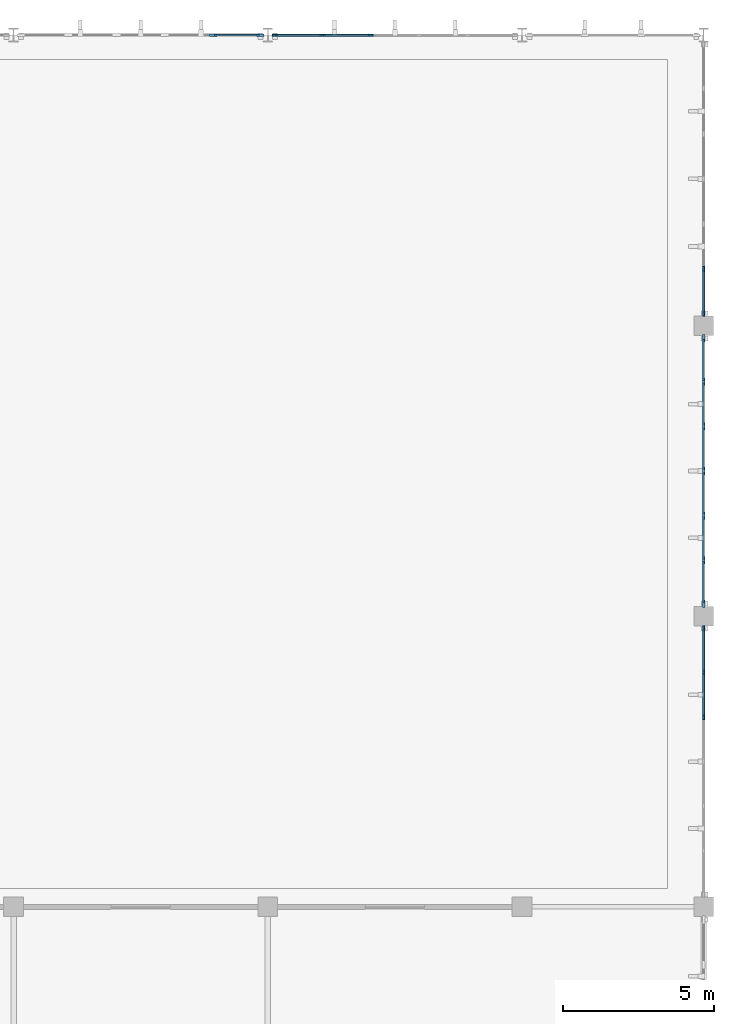
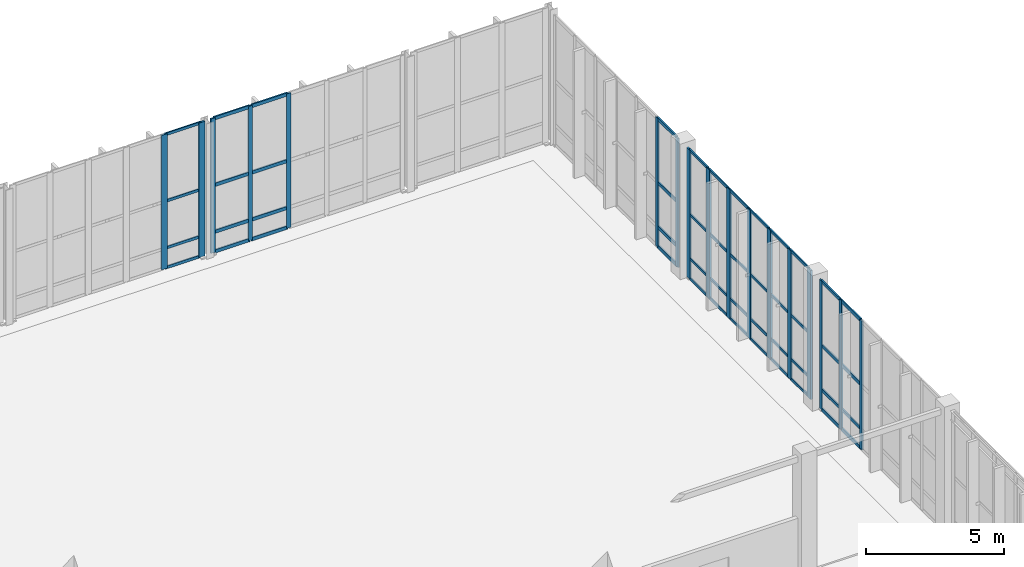
# One storey, part 54 of 110: 65 members, 5 elements without a shape of their own.
"""IFC4 building model written with IfcOpenShell, lengths in metres."""

from ifc_helpers import new_model, si_unit, direction, frame, origin, origin_2d, place, context, subcontext, project, spatial, rectangle, extrude, material, material_profile, profile_set, type_object, element, aggregate, save


model = new_model("IFC4")

# Units and contexts
model_context = context("Model", 3, precision=1e-05, world=origin(), true_north=direction((0.0, 1.0)))
body_context = subcontext(model_context, "Body", "Model", "MODEL_VIEW")
ifc_project = project(units=[si_unit("LENGTHUNIT", "METRE"), si_unit("AREAUNIT", "SQUARE_METRE"), si_unit("VOLUMEUNIT", "CUBIC_METRE"), si_unit("PLANEANGLEUNIT", "RADIAN"), si_unit("MASSUNIT", "GRAM", prefix="KILO")], contexts=[model_context])

# Site, building, storey
site_placement = place(None, origin())
site = spatial("IfcSite", under=ifc_project, at=site_placement, CompositionType="ELEMENT")
building_placement = place(site_placement, origin())
building = spatial("IfcBuilding", under=site, at=building_placement, Name="Tizgana Railside Sports Hall", CompositionType="ELEMENT")
storey_placement = place(building_placement, origin())
storey = spatial("IfcBuildingStorey", under=building, at=storey_placement, Name="L00", CompositionType="ELEMENT", Elevation=0.0)

# Curtain wall, members
ifc_material_1 = material(Name="Anodised aluminium and glass", Category="aluminium")
curtain_wall_type_1 = type_object("IfcCurtainWallType", Name="Unitised Curtain Wall Studio 1400", PredefinedType="NOTDEFINED", material=ifc_material_1)
curtain_wall_1_placement = place(storey_placement, origin())
curtain_wall_1 = element("IfcCurtainWall", 1, at=curtain_wall_1_placement, inside=storey, type_object=curtain_wall_type_1, Name="L00 Curtain Wall CW-0050", PredefinedType="NOTDEFINED")
ifc_material_2 = material(Name="Anodised aluminium", Category="aluminium")
ifc_material_profile_1 = material_profile(ifc_material_2, rectangle(XDim=0.06005859375, YDim=0.179931640625, at=origin_2d()), Name="Mullion 60x180")
ifc_profile_set_1 = profile_set([ifc_material_profile_1], Name="Anodised aluminium")
member_type_1 = type_object("IfcMemberType", Name="Mullion 60x180", PredefinedType="MULLION", material=ifc_profile_set_1)
member_1_placement = place(storey_placement, frame((158.034912109375, 117.60009765625, 0.044921875), z_axis=(0.0, 0.0, 1.0), x_axis=(0.0, 1.0, 0.0)))
member_1 = element("IfcMember", 2, at=member_1_placement, type_object=member_type_1, Name="CW-03 mullion 1", PredefinedType="MULLION", context=body_context, shape_type="SweptSolid", body=[
    extrude(rectangle(XDim=0.06005859375, YDim=0.179931640625, at=origin_2d()), origin(), (0.0, 0.0, 1.0), 5.955078125),
])
member_2_placement = place(storey_placement, frame((159.60302734375, 117.60009765625, 0.044921875), z_axis=(0.0, 0.0, 1.0), x_axis=(0.0, 1.0, 0.0)))
member_2 = element("IfcMember", 3, at=member_2_placement, type_object=member_type_1, Name="CW-03 mullion 2", PredefinedType="MULLION", context=body_context, shape_type="SweptSolid", body=[
    extrude(rectangle(XDim=0.06005859375, YDim=0.179931640625, at=origin_2d()), origin(), (0.0, 0.0, 1.0), 5.955078125),
])
member_3_placement = place(storey_placement, frame((161.200927734375, 117.60009765625, 0.044921875), z_axis=(0.0, 0.0, 1.0), x_axis=(0.0, 1.0, 0.0)))
member_3 = element("IfcMember", 4, at=member_3_placement, type_object=member_type_1, Name="CW-03 mullion 3", PredefinedType="MULLION", context=body_context, shape_type="SweptSolid", body=[
    extrude(rectangle(XDim=0.06005859375, YDim=0.179931640625, at=origin_2d()), origin(), (0.0, 0.0, 1.0), 5.955078125),
])

curtain_wall_type_2 = type_object("IfcCurtainWallType", Name="Unitised Curtain Wall WestHall 1560", PredefinedType="NOTDEFINED", material=ifc_material_1)
curtain_wall_2_placement = place(storey_placement, origin())
curtain_wall_2 = element("IfcCurtainWall", 5, at=curtain_wall_2_placement, inside=storey, type_object=curtain_wall_type_2, Name="L00 Curtain Wall CW-0062", PredefinedType="NOTDEFINED")
member_4_placement = place(storey_placement, frame((172.199951171875, 95.0732421875, 0.044921875), z_axis=(0.0, 0.0, 1.0), x_axis=(-1.0, 0.0, 0.0)))
member_4 = element("IfcMember", 6, at=member_4_placement, type_object=member_type_1, Name="CW-07 mullion 5", PredefinedType="MULLION", context=body_context, shape_type="SweptSolid", body=[
    extrude(rectangle(XDim=0.06005859375, YDim=0.179931640625, at=origin_2d()), origin(), (0.0, 0.0, 1.0), 5.715087890625),
])
member_5_placement = place(storey_placement, frame((172.199951171875, 96.546630859375, 0.044921875), z_axis=(0.0, 0.0, 1.0), x_axis=(-1.0, 0.0, 0.0)))
member_5 = element("IfcMember", 7, at=member_5_placement, type_object=member_type_1, Name="CW-07 mullion 6", PredefinedType="MULLION", context=body_context, shape_type="SweptSolid", body=[
    extrude(rectangle(XDim=0.06005859375, YDim=0.179931640625, at=origin_2d()), origin(), (0.0, 0.0, 1.0), 5.715087890625),
])
member_6_placement = place(storey_placement, frame((172.199951171875, 97.989990234375, 0.044921875), z_axis=(0.0, 0.0, 1.0), x_axis=(-1.0, 0.0, 0.0)))
member_6 = element("IfcMember", 8, at=member_6_placement, type_object=member_type_1, Name="CW-07 mullion 7", PredefinedType="MULLION", context=body_context, shape_type="SweptSolid", body=[
    extrude(rectangle(XDim=0.06005859375, YDim=0.179931640625, at=origin_2d()), origin(), (0.0, 0.0, 1.0), 5.715087890625),
])

curtain_wall_type_3 = type_object("IfcCurtainWallType", Name="Unitised Curtain Wall Clinic 1200", PredefinedType="NOTDEFINED", material=ifc_material_1)
curtain_wall_3_placement = place(storey_placement, origin())
curtain_wall_3 = element("IfcCurtainWall", 9, at=curtain_wall_3_placement, inside=storey, type_object=curtain_wall_type_3, Name="L00 Curtain Wall CW-0068", PredefinedType="NOTDEFINED")
member_7_placement = place(storey_placement, frame((172.199951171875, 108.409912109375, 0.044921875), z_axis=(0.0, 0.0, 1.0), x_axis=(-1.0, 0.0, 0.0)))
member_7 = element("IfcMember", 10, at=member_7_placement, type_object=member_type_1, Name="CW-05 mullion 1", PredefinedType="MULLION", context=body_context, shape_type="SweptSolid", body=[
    extrude(rectangle(XDim=0.06005859375, YDim=0.179931640625, at=origin_2d()), origin(), (0.0, 0.0, 1.0), 5.715087890625),
])
member_8_placement = place(storey_placement, frame((172.199951171875, 109.8701171875, 0.044921875), z_axis=(0.0, 0.0, 1.0), x_axis=(-1.0, 0.0, 0.0)))
member_8 = element("IfcMember", 11, at=member_8_placement, type_object=member_type_1, Name="CW-05 mullion 2", PredefinedType="MULLION", context=body_context, shape_type="SweptSolid", body=[
    extrude(rectangle(XDim=0.06005859375, YDim=0.179931640625, at=origin_2d()), origin(), (0.0, 0.0, 1.0), 5.715087890625),
])

curtain_wall_type_4 = type_object("IfcCurtainWallType", Name="Unitised Curtain Wall EastHall 1500", PredefinedType="NOTDEFINED", material=ifc_material_1)
curtain_wall_4_placement = place(storey_placement, origin())
curtain_wall_4 = element("IfcCurtainWall", 12, at=curtain_wall_4_placement, inside=storey, type_object=curtain_wall_type_4, Name="L00 Curtain Wall CW-0047", PredefinedType="NOTDEFINED")
ifc_material_profile_2 = material_profile(ifc_material_2, rectangle(XDim=0.074951171875, YDim=0.25, at=origin_2d()), Name="Mullion 75x250")
ifc_profile_set_2 = profile_set([ifc_material_profile_2], Name="Anodised aluminium")
member_type_2 = type_object("IfcMemberType", Name="Mullion 75x250", PredefinedType="MULLION", material=ifc_profile_set_2)
member_9_placement = place(storey_placement, frame((155.9970703125, 117.60009765625, 0.044921875), z_axis=(0.0, 0.0, 1.0), x_axis=(0.0, 1.0, 0.0)))
member_9 = element("IfcMember", 13, at=member_9_placement, type_object=member_type_2, Name="CW-08 mullion 5", PredefinedType="MULLION", context=body_context, shape_type="SweptSolid", body=[
    extrude(rectangle(XDim=0.074951171875, YDim=0.25, at=origin_2d()), origin(), (0.0, 0.0, 1.0), 5.955078125),
])
member_10_placement = place(storey_placement, frame((157.5576171875, 117.60009765625, 0.044921875), z_axis=(0.0, 0.0, 1.0), x_axis=(0.0, 1.0, 0.0)))
member_10 = element("IfcMember", 14, at=member_10_placement, type_object=member_type_2, Name="CW-08 mullion 6", PredefinedType="MULLION", context=body_context, shape_type="SweptSolid", body=[
    extrude(rectangle(XDim=0.074951171875, YDim=0.25, at=origin_2d()), origin(), (0.0, 0.0, 1.0), 5.955078125),
])

curtain_wall_type_5 = type_object("IfcCurtainWallType", Name="Unitised Curtain Wall Foyer 1300", PredefinedType="NOTDEFINED", material=ifc_material_1)
curtain_wall_5_placement = place(storey_placement, origin())
curtain_wall_5 = element("IfcCurtainWall", 15, at=curtain_wall_5_placement, inside=storey, type_object=curtain_wall_type_5, Name="L00 Curtain Wall CW-0065", PredefinedType="NOTDEFINED")
member_11_placement = place(storey_placement, frame((172.199951171875, 98.8173828125, 0.044921875), z_axis=(0.0, 0.0, 1.0), x_axis=(-1.0, 0.0, 0.0)))
member_11 = element("IfcMember", 16, at=member_11_placement, type_object=member_type_2, Name="CW-02 mullion 1", PredefinedType="MULLION", context=body_context, shape_type="SweptSolid", body=[
    extrude(rectangle(XDim=0.074951171875, YDim=0.25, at=origin_2d()), origin(), (0.0, 0.0, 1.0), 5.715087890625),
])
member_12_placement = place(storey_placement, frame((172.199951171875, 100.25341796875, 0.044921875), z_axis=(0.0, 0.0, 1.0), x_axis=(-1.0, 0.0, 0.0)))
member_12 = element("IfcMember", 17, at=member_12_placement, type_object=member_type_2, Name="CW-02 mullion 2", PredefinedType="MULLION", context=body_context, shape_type="SweptSolid", body=[
    extrude(rectangle(XDim=0.074951171875, YDim=0.25, at=origin_2d()), origin(), (0.0, 0.0, 1.0), 5.715087890625),
])
member_13_placement = place(storey_placement, frame((172.199951171875, 101.7265625, 0.044921875), z_axis=(0.0, 0.0, 1.0), x_axis=(-1.0, 0.0, 0.0)))
member_13 = element("IfcMember", 18, at=member_13_placement, type_object=member_type_2, Name="CW-02 mullion 3", PredefinedType="MULLION", context=body_context, shape_type="SweptSolid", body=[
    extrude(rectangle(XDim=0.074951171875, YDim=0.25, at=origin_2d()), origin(), (0.0, 0.0, 1.0), 5.715087890625),
])
member_14_placement = place(storey_placement, frame((172.199951171875, 103.199951171875, 0.044921875), z_axis=(0.0, 0.0, 1.0), x_axis=(-1.0, 0.0, 0.0)))
member_14 = element("IfcMember", 19, at=member_14_placement, type_object=member_type_2, Name="CW-02 mullion 4", PredefinedType="MULLION", context=body_context, shape_type="SweptSolid", body=[
    extrude(rectangle(XDim=0.074951171875, YDim=0.25, at=origin_2d()), origin(), (0.0, 0.0, 1.0), 5.715087890625),
])
member_15_placement = place(storey_placement, frame((172.199951171875, 104.67333984375, 0.044921875), z_axis=(0.0, 0.0, 1.0), x_axis=(-1.0, 0.0, 0.0)))
member_15 = element("IfcMember", 20, at=member_15_placement, type_object=member_type_2, Name="CW-02 mullion 5", PredefinedType="MULLION", context=body_context, shape_type="SweptSolid", body=[
    extrude(rectangle(XDim=0.074951171875, YDim=0.25, at=origin_2d()), origin(), (0.0, 0.0, 1.0), 5.715087890625),
])
member_16_placement = place(storey_placement, frame((172.199951171875, 106.146728515625, 0.044921875), z_axis=(0.0, 0.0, 1.0), x_axis=(-1.0, 0.0, 0.0)))
member_16 = element("IfcMember", 21, at=member_16_placement, type_object=member_type_2, Name="CW-02 mullion 6", PredefinedType="MULLION", context=body_context, shape_type="SweptSolid", body=[
    extrude(rectangle(XDim=0.074951171875, YDim=0.25, at=origin_2d()), origin(), (0.0, 0.0, 1.0), 5.715087890625),
])
member_17_placement = place(storey_placement, frame((172.199951171875, 107.58251953125, 0.044921875), z_axis=(0.0, 0.0, 1.0), x_axis=(-1.0, 0.0, 0.0)))
member_17 = element("IfcMember", 22, at=member_17_placement, type_object=member_type_2, Name="CW-02 mullion 7", PredefinedType="MULLION", context=body_context, shape_type="SweptSolid", body=[
    extrude(rectangle(XDim=0.074951171875, YDim=0.25, at=origin_2d()), origin(), (0.0, 0.0, 1.0), 5.715087890625),
])

# Member
ifc_material_profile_3 = material_profile(ifc_material_2, rectangle(XDim=0.054931640625, YDim=0.1201171875, at=origin_2d()), Name="Transom 55x120")
ifc_profile_set_3 = profile_set([ifc_material_profile_3], Name="Anodised aluminium")
member_type_3 = type_object("IfcMemberType", Name="Transom 55x120", PredefinedType="USERDEFINED", material=ifc_profile_set_3)
member_18_placement = place(storey_placement, frame((156.034423828125, 117.60009765625, 0.072509765625), z_axis=(1.0, 0.0, 0.0), x_axis=(0.0, 1.0, 0.0)))
member_18 = element("IfcMember", 23, at=member_18_placement, type_object=member_type_3, Name="CW-08 transom 5.1", ObjectType="TRANSOM", PredefinedType="USERDEFINED", context=body_context, shape_type="SweptSolid", body=[
    extrude(rectangle(XDim=0.054931640625, YDim=0.1201171875, at=origin_2d()), origin(), (0.0, 0.0, 1.0), 1.485595703125),
])

member_19_placement = place(storey_placement, frame((156.034423828125, 117.60009765625, 0.945068359375), z_axis=(1.0, 0.0, 0.0), x_axis=(0.0, 1.0, 0.0)))
member_19 = element("IfcMember", 24, at=member_19_placement, type_object=member_type_3, Name="CW-08 transom 5.2", ObjectType="TRANSOM", PredefinedType="USERDEFINED", context=body_context, shape_type="SweptSolid", body=[
    extrude(rectangle(XDim=0.054931640625, YDim=0.1201171875, at=origin_2d()), origin(), (0.0, 0.0, 1.0), 1.485595703125),
])

member_20_placement = place(storey_placement, frame((156.034423828125, 117.60009765625, 3.0224609375), z_axis=(1.0, 0.0, 0.0), x_axis=(0.0, 1.0, 0.0)))
member_20 = element("IfcMember", 25, at=member_20_placement, type_object=member_type_3, Name="CW-08 transom 5.3", ObjectType="TRANSOM", PredefinedType="USERDEFINED", context=body_context, shape_type="SweptSolid", body=[
    extrude(rectangle(XDim=0.054931640625, YDim=0.1201171875, at=origin_2d()), origin(), (0.0, 0.0, 1.0), 1.485595703125),
])

member_21_placement = place(storey_placement, frame((156.034423828125, 117.60009765625, 5.972412109375), z_axis=(1.0, 0.0, 0.0), x_axis=(0.0, 1.0, 0.0)))
member_21 = element("IfcMember", 26, at=member_21_placement, type_object=member_type_3, Name="CW-08 transom 5.4", ObjectType="TRANSOM", PredefinedType="USERDEFINED", context=body_context, shape_type="SweptSolid", body=[
    extrude(rectangle(XDim=0.054931640625, YDim=0.1201171875, at=origin_2d()), origin(), (0.0, 0.0, 1.0), 1.485595703125),
])

aggregate(curtain_wall_4, [member_9, member_10, member_18, member_19, member_20, member_21])

member_22_placement = place(storey_placement, frame((172.199951171875, 98.85498046875, 0.072509765625), z_axis=(0.0, 1.0, 0.0), x_axis=(-1.0, 0.0, 0.0)))
member_22 = element("IfcMember", 27, at=member_22_placement, type_object=member_type_3, Name="CW-02 transom 1.1", ObjectType="TRANSOM", PredefinedType="USERDEFINED", context=body_context, shape_type="SweptSolid", body=[
    extrude(rectangle(XDim=0.054931640625, YDim=0.1201171875, at=origin_2d()), origin(), (0.0, 0.0, 1.0), 1.36083984375),
])

member_23_placement = place(storey_placement, frame((172.199951171875, 98.85498046875, 0.945068359375), z_axis=(0.0, 1.0, 0.0), x_axis=(-1.0, 0.0, 0.0)))
member_23 = element("IfcMember", 28, at=member_23_placement, type_object=member_type_3, Name="CW-02 transom 1.2", ObjectType="TRANSOM", PredefinedType="USERDEFINED", context=body_context, shape_type="SweptSolid", body=[
    extrude(rectangle(XDim=0.054931640625, YDim=0.1201171875, at=origin_2d()), origin(), (0.0, 0.0, 1.0), 1.36083984375),
])

member_24_placement = place(storey_placement, frame((172.199951171875, 98.85498046875, 2.902587890625), z_axis=(0.0, 1.0, 0.0), x_axis=(-1.0, 0.0, 0.0)))
member_24 = element("IfcMember", 29, at=member_24_placement, type_object=member_type_3, Name="CW-02 transom 1.3", ObjectType="TRANSOM", PredefinedType="USERDEFINED", context=body_context, shape_type="SweptSolid", body=[
    extrude(rectangle(XDim=0.054931640625, YDim=0.1201171875, at=origin_2d()), origin(), (0.0, 0.0, 1.0), 1.36083984375),
])

member_25_placement = place(storey_placement, frame((172.199951171875, 98.85498046875, 5.732421875), z_axis=(0.0, 1.0, 0.0), x_axis=(-1.0, 0.0, 0.0)))
member_25 = element("IfcMember", 30, at=member_25_placement, type_object=member_type_3, Name="CW-02 transom 1.4", ObjectType="TRANSOM", PredefinedType="USERDEFINED", context=body_context, shape_type="SweptSolid", body=[
    extrude(rectangle(XDim=0.054931640625, YDim=0.1201171875, at=origin_2d()), origin(), (0.0, 0.0, 1.0), 1.36083984375),
])

member_26_placement = place(storey_placement, frame((172.199951171875, 100.290771484375, 0.072509765625), z_axis=(0.0, 1.0, 0.0), x_axis=(-1.0, 0.0, 0.0)))
member_26 = element("IfcMember", 31, at=member_26_placement, type_object=member_type_3, Name="CW-02 transom 2.1", ObjectType="TRANSOM", PredefinedType="USERDEFINED", context=body_context, shape_type="SweptSolid", body=[
    extrude(rectangle(XDim=0.054931640625, YDim=0.1201171875, at=origin_2d()), origin(), (0.0, 0.0, 1.0), 1.3984375),
])

member_27_placement = place(storey_placement, frame((172.199951171875, 100.290771484375, 0.945068359375), z_axis=(0.0, 1.0, 0.0), x_axis=(-1.0, 0.0, 0.0)))
member_27 = element("IfcMember", 32, at=member_27_placement, type_object=member_type_3, Name="CW-02 transom 2.2", ObjectType="TRANSOM", PredefinedType="USERDEFINED", context=body_context, shape_type="SweptSolid", body=[
    extrude(rectangle(XDim=0.054931640625, YDim=0.1201171875, at=origin_2d()), origin(), (0.0, 0.0, 1.0), 1.3984375),
])

member_28_placement = place(storey_placement, frame((172.199951171875, 100.290771484375, 2.902587890625), z_axis=(0.0, 1.0, 0.0), x_axis=(-1.0, 0.0, 0.0)))
member_28 = element("IfcMember", 33, at=member_28_placement, type_object=member_type_3, Name="CW-02 transom 2.3", ObjectType="TRANSOM", PredefinedType="USERDEFINED", context=body_context, shape_type="SweptSolid", body=[
    extrude(rectangle(XDim=0.054931640625, YDim=0.1201171875, at=origin_2d()), origin(), (0.0, 0.0, 1.0), 1.3984375),
])

member_29_placement = place(storey_placement, frame((172.199951171875, 100.290771484375, 5.732421875), z_axis=(0.0, 1.0, 0.0), x_axis=(-1.0, 0.0, 0.0)))
member_29 = element("IfcMember", 34, at=member_29_placement, type_object=member_type_3, Name="CW-02 transom 2.4", ObjectType="TRANSOM", PredefinedType="USERDEFINED", context=body_context, shape_type="SweptSolid", body=[
    extrude(rectangle(XDim=0.054931640625, YDim=0.1201171875, at=origin_2d()), origin(), (0.0, 0.0, 1.0), 1.3984375),
])

member_30_placement = place(storey_placement, frame((172.199951171875, 101.76416015625, 0.072509765625), z_axis=(0.0, 1.0, 0.0), x_axis=(-1.0, 0.0, 0.0)))
member_30 = element("IfcMember", 35, at=member_30_placement, type_object=member_type_3, Name="CW-02 transom 3.1", ObjectType="TRANSOM", PredefinedType="USERDEFINED", context=body_context, shape_type="SweptSolid", body=[
    extrude(rectangle(XDim=0.054931640625, YDim=0.1201171875, at=origin_2d()), origin(), (0.0, 0.0, 1.0), 1.3984375),
])

member_31_placement = place(storey_placement, frame((172.199951171875, 101.76416015625, 0.945068359375), z_axis=(0.0, 1.0, 0.0), x_axis=(-1.0, 0.0, 0.0)))
member_31 = element("IfcMember", 36, at=member_31_placement, type_object=member_type_3, Name="CW-02 transom 3.2", ObjectType="TRANSOM", PredefinedType="USERDEFINED", context=body_context, shape_type="SweptSolid", body=[
    extrude(rectangle(XDim=0.054931640625, YDim=0.1201171875, at=origin_2d()), origin(), (0.0, 0.0, 1.0), 1.3984375),
])

member_32_placement = place(storey_placement, frame((172.199951171875, 101.76416015625, 2.902587890625), z_axis=(0.0, 1.0, 0.0), x_axis=(-1.0, 0.0, 0.0)))
member_32 = element("IfcMember", 37, at=member_32_placement, type_object=member_type_3, Name="CW-02 transom 3.3", ObjectType="TRANSOM", PredefinedType="USERDEFINED", context=body_context, shape_type="SweptSolid", body=[
    extrude(rectangle(XDim=0.054931640625, YDim=0.1201171875, at=origin_2d()), origin(), (0.0, 0.0, 1.0), 1.3984375),
])

member_33_placement = place(storey_placement, frame((172.199951171875, 101.76416015625, 5.732421875), z_axis=(0.0, 1.0, 0.0), x_axis=(-1.0, 0.0, 0.0)))
member_33 = element("IfcMember", 38, at=member_33_placement, type_object=member_type_3, Name="CW-02 transom 3.4", ObjectType="TRANSOM", PredefinedType="USERDEFINED", context=body_context, shape_type="SweptSolid", body=[
    extrude(rectangle(XDim=0.054931640625, YDim=0.1201171875, at=origin_2d()), origin(), (0.0, 0.0, 1.0), 1.3984375),
])

member_34_placement = place(storey_placement, frame((172.199951171875, 103.237548828125, 0.072509765625), z_axis=(0.0, 1.0, 0.0), x_axis=(-1.0, 0.0, 0.0)))
member_34 = element("IfcMember", 39, at=member_34_placement, type_object=member_type_3, Name="CW-02 transom 4.1", ObjectType="TRANSOM", PredefinedType="USERDEFINED", context=body_context, shape_type="SweptSolid", body=[
    extrude(rectangle(XDim=0.054931640625, YDim=0.1201171875, at=origin_2d()), origin(), (0.0, 0.0, 1.0), 1.398193359375),
])

member_35_placement = place(storey_placement, frame((172.199951171875, 103.237548828125, 0.945068359375), z_axis=(0.0, 1.0, 0.0), x_axis=(-1.0, 0.0, 0.0)))
member_35 = element("IfcMember", 40, at=member_35_placement, type_object=member_type_3, Name="CW-02 transom 4.2", ObjectType="TRANSOM", PredefinedType="USERDEFINED", context=body_context, shape_type="SweptSolid", body=[
    extrude(rectangle(XDim=0.054931640625, YDim=0.1201171875, at=origin_2d()), origin(), (0.0, 0.0, 1.0), 1.398193359375),
])

member_36_placement = place(storey_placement, frame((172.199951171875, 103.237548828125, 2.902587890625), z_axis=(0.0, 1.0, 0.0), x_axis=(-1.0, 0.0, 0.0)))
member_36 = element("IfcMember", 41, at=member_36_placement, type_object=member_type_3, Name="CW-02 transom 4.3", ObjectType="TRANSOM", PredefinedType="USERDEFINED", context=body_context, shape_type="SweptSolid", body=[
    extrude(rectangle(XDim=0.054931640625, YDim=0.1201171875, at=origin_2d()), origin(), (0.0, 0.0, 1.0), 1.398193359375),
])

member_37_placement = place(storey_placement, frame((172.199951171875, 103.237548828125, 5.732421875), z_axis=(0.0, 1.0, 0.0), x_axis=(-1.0, 0.0, 0.0)))
member_37 = element("IfcMember", 42, at=member_37_placement, type_object=member_type_3, Name="CW-02 transom 4.4", ObjectType="TRANSOM", PredefinedType="USERDEFINED", context=body_context, shape_type="SweptSolid", body=[
    extrude(rectangle(XDim=0.054931640625, YDim=0.1201171875, at=origin_2d()), origin(), (0.0, 0.0, 1.0), 1.398193359375),
])

member_38_placement = place(storey_placement, frame((172.199951171875, 104.7109375, 0.072509765625), z_axis=(0.0, 1.0, 0.0), x_axis=(-1.0, 0.0, 0.0)))
member_38 = element("IfcMember", 43, at=member_38_placement, type_object=member_type_3, Name="CW-02 transom 5.1", ObjectType="TRANSOM", PredefinedType="USERDEFINED", context=body_context, shape_type="SweptSolid", body=[
    extrude(rectangle(XDim=0.054931640625, YDim=0.1201171875, at=origin_2d()), origin(), (0.0, 0.0, 1.0), 1.398193359375),
])

member_39_placement = place(storey_placement, frame((172.199951171875, 104.7109375, 0.945068359375), z_axis=(0.0, 1.0, 0.0), x_axis=(-1.0, 0.0, 0.0)))
member_39 = element("IfcMember", 44, at=member_39_placement, type_object=member_type_3, Name="CW-02 transom 5.2", ObjectType="TRANSOM", PredefinedType="USERDEFINED", context=body_context, shape_type="SweptSolid", body=[
    extrude(rectangle(XDim=0.054931640625, YDim=0.1201171875, at=origin_2d()), origin(), (0.0, 0.0, 1.0), 1.398193359375),
])

member_40_placement = place(storey_placement, frame((172.199951171875, 104.7109375, 2.902587890625), z_axis=(0.0, 1.0, 0.0), x_axis=(-1.0, 0.0, 0.0)))
member_40 = element("IfcMember", 45, at=member_40_placement, type_object=member_type_3, Name="CW-02 transom 5.3", ObjectType="TRANSOM", PredefinedType="USERDEFINED", context=body_context, shape_type="SweptSolid", body=[
    extrude(rectangle(XDim=0.054931640625, YDim=0.1201171875, at=origin_2d()), origin(), (0.0, 0.0, 1.0), 1.398193359375),
])

member_41_placement = place(storey_placement, frame((172.199951171875, 104.7109375, 5.732421875), z_axis=(0.0, 1.0, 0.0), x_axis=(-1.0, 0.0, 0.0)))
member_41 = element("IfcMember", 46, at=member_41_placement, type_object=member_type_3, Name="CW-02 transom 5.4", ObjectType="TRANSOM", PredefinedType="USERDEFINED", context=body_context, shape_type="SweptSolid", body=[
    extrude(rectangle(XDim=0.054931640625, YDim=0.1201171875, at=origin_2d()), origin(), (0.0, 0.0, 1.0), 1.398193359375),
])

member_42_placement = place(storey_placement, frame((172.199951171875, 106.18408203125, 0.072509765625), z_axis=(0.0, 1.0, 0.0), x_axis=(-1.0, 0.0, 0.0)))
member_42 = element("IfcMember", 47, at=member_42_placement, type_object=member_type_3, Name="CW-02 transom 6.1", ObjectType="TRANSOM", PredefinedType="USERDEFINED", context=body_context, shape_type="SweptSolid", body=[
    extrude(rectangle(XDim=0.054931640625, YDim=0.1201171875, at=origin_2d()), origin(), (0.0, 0.0, 1.0), 1.36083984375),
])

member_43_placement = place(storey_placement, frame((172.199951171875, 106.18408203125, 0.945068359375), z_axis=(0.0, 1.0, 0.0), x_axis=(-1.0, 0.0, 0.0)))
member_43 = element("IfcMember", 48, at=member_43_placement, type_object=member_type_3, Name="CW-02 transom 6.2", ObjectType="TRANSOM", PredefinedType="USERDEFINED", context=body_context, shape_type="SweptSolid", body=[
    extrude(rectangle(XDim=0.054931640625, YDim=0.1201171875, at=origin_2d()), origin(), (0.0, 0.0, 1.0), 1.36083984375),
])

member_44_placement = place(storey_placement, frame((172.199951171875, 106.18408203125, 2.902587890625), z_axis=(0.0, 1.0, 0.0), x_axis=(-1.0, 0.0, 0.0)))
member_44 = element("IfcMember", 49, at=member_44_placement, type_object=member_type_3, Name="CW-02 transom 6.3", ObjectType="TRANSOM", PredefinedType="USERDEFINED", context=body_context, shape_type="SweptSolid", body=[
    extrude(rectangle(XDim=0.054931640625, YDim=0.1201171875, at=origin_2d()), origin(), (0.0, 0.0, 1.0), 1.36083984375),
])

member_45_placement = place(storey_placement, frame((172.199951171875, 106.18408203125, 5.732421875), z_axis=(0.0, 1.0, 0.0), x_axis=(-1.0, 0.0, 0.0)))
member_45 = element("IfcMember", 50, at=member_45_placement, type_object=member_type_3, Name="CW-02 transom 6.4", ObjectType="TRANSOM", PredefinedType="USERDEFINED", context=body_context, shape_type="SweptSolid", body=[
    extrude(rectangle(XDim=0.054931640625, YDim=0.1201171875, at=origin_2d()), origin(), (0.0, 0.0, 1.0), 1.36083984375),
])

aggregate(curtain_wall_5, [member_11, member_12, member_13, member_14, member_15, member_16, member_17, member_22, member_23, member_24, member_25, member_26, member_27, member_28, member_29, member_30, member_31, member_32, member_33, member_34, member_35, member_36, member_37, member_38, member_39, member_40, member_41, member_42, member_43, member_44, member_45])

ifc_material_profile_4 = material_profile(ifc_material_2, rectangle(XDim=0.06005859375, YDim=0.14990234375, at=origin_2d()), Name="Transom 60x150")
ifc_profile_set_4 = profile_set([ifc_material_profile_4], Name="Anodised aluminium")
member_type_4 = type_object("IfcMemberType", Name="Transom 60x150", PredefinedType="USERDEFINED", material=ifc_profile_set_4)
member_46_placement = place(storey_placement, frame((158.06494140625, 117.60009765625, 0.074951171875), z_axis=(1.0, 0.0, 0.0), x_axis=(0.0, 1.0, 0.0)))
member_46 = element("IfcMember", 51, at=member_46_placement, type_object=member_type_4, Name="CW-03 transom 1.1", ObjectType="TRANSOM", PredefinedType="USERDEFINED", context=body_context, shape_type="SweptSolid", body=[
    extrude(rectangle(XDim=0.06005859375, YDim=0.14990234375, at=origin_2d()), origin(), (0.0, 0.0, 1.0), 1.508056640625),
])

member_47_placement = place(storey_placement, frame((158.06494140625, 117.60009765625, 0.945068359375), z_axis=(1.0, 0.0, 0.0), x_axis=(0.0, 1.0, 0.0)))
member_47 = element("IfcMember", 52, at=member_47_placement, type_object=member_type_4, Name="CW-03 transom 1.2", ObjectType="TRANSOM", PredefinedType="USERDEFINED", context=body_context, shape_type="SweptSolid", body=[
    extrude(rectangle(XDim=0.06005859375, YDim=0.14990234375, at=origin_2d()), origin(), (0.0, 0.0, 1.0), 1.508056640625),
])

member_48_placement = place(storey_placement, frame((158.06494140625, 117.60009765625, 3.0224609375), z_axis=(1.0, 0.0, 0.0), x_axis=(0.0, 1.0, 0.0)))
member_48 = element("IfcMember", 53, at=member_48_placement, type_object=member_type_4, Name="CW-03 transom 1.3", ObjectType="TRANSOM", PredefinedType="USERDEFINED", context=body_context, shape_type="SweptSolid", body=[
    extrude(rectangle(XDim=0.06005859375, YDim=0.14990234375, at=origin_2d()), origin(), (0.0, 0.0, 1.0), 1.508056640625),
])

member_49_placement = place(storey_placement, frame((158.06494140625, 117.60009765625, 5.969970703125), z_axis=(1.0, 0.0, 0.0), x_axis=(0.0, 1.0, 0.0)))
member_49 = element("IfcMember", 54, at=member_49_placement, type_object=member_type_4, Name="CW-03 transom 1.4", ObjectType="TRANSOM", PredefinedType="USERDEFINED", context=body_context, shape_type="SweptSolid", body=[
    extrude(rectangle(XDim=0.06005859375, YDim=0.14990234375, at=origin_2d()), origin(), (0.0, 0.0, 1.0), 1.508056640625),
])

member_50_placement = place(storey_placement, frame((159.633056640625, 117.60009765625, 0.074951171875), z_axis=(1.0, 0.0, 0.0), x_axis=(0.0, 1.0, 0.0)))
member_50 = element("IfcMember", 55, at=member_50_placement, type_object=member_type_4, Name="CW-03 transom 2.1", ObjectType="TRANSOM", PredefinedType="USERDEFINED", context=body_context, shape_type="SweptSolid", body=[
    extrude(rectangle(XDim=0.06005859375, YDim=0.14990234375, at=origin_2d()), origin(), (0.0, 0.0, 1.0), 1.537841796875),
])

member_51_placement = place(storey_placement, frame((159.633056640625, 117.60009765625, 0.945068359375), z_axis=(1.0, 0.0, 0.0), x_axis=(0.0, 1.0, 0.0)))
member_51 = element("IfcMember", 56, at=member_51_placement, type_object=member_type_4, Name="CW-03 transom 2.2", ObjectType="TRANSOM", PredefinedType="USERDEFINED", context=body_context, shape_type="SweptSolid", body=[
    extrude(rectangle(XDim=0.06005859375, YDim=0.14990234375, at=origin_2d()), origin(), (0.0, 0.0, 1.0), 1.537841796875),
])

member_52_placement = place(storey_placement, frame((159.633056640625, 117.60009765625, 3.0224609375), z_axis=(1.0, 0.0, 0.0), x_axis=(0.0, 1.0, 0.0)))
member_52 = element("IfcMember", 57, at=member_52_placement, type_object=member_type_4, Name="CW-03 transom 2.3", ObjectType="TRANSOM", PredefinedType="USERDEFINED", context=body_context, shape_type="SweptSolid", body=[
    extrude(rectangle(XDim=0.06005859375, YDim=0.14990234375, at=origin_2d()), origin(), (0.0, 0.0, 1.0), 1.537841796875),
])

member_53_placement = place(storey_placement, frame((159.633056640625, 117.60009765625, 5.969970703125), z_axis=(1.0, 0.0, 0.0), x_axis=(0.0, 1.0, 0.0)))
member_53 = element("IfcMember", 58, at=member_53_placement, type_object=member_type_4, Name="CW-03 transom 2.4", ObjectType="TRANSOM", PredefinedType="USERDEFINED", context=body_context, shape_type="SweptSolid", body=[
    extrude(rectangle(XDim=0.06005859375, YDim=0.14990234375, at=origin_2d()), origin(), (0.0, 0.0, 1.0), 1.537841796875),
])

aggregate(curtain_wall_1, [member_1, member_2, member_3, member_46, member_47, member_48, member_49, member_50, member_51, member_52, member_53])

member_54_placement = place(storey_placement, frame((172.199951171875, 95.103271484375, 0.074951171875), z_axis=(0.0, 1.0, 0.0), x_axis=(-1.0, 0.0, 0.0)))
member_54 = element("IfcMember", 59, at=member_54_placement, type_object=member_type_4, Name="CW-07 transom 5.1", ObjectType="TRANSOM", PredefinedType="USERDEFINED", context=body_context, shape_type="SweptSolid", body=[
    extrude(rectangle(XDim=0.06005859375, YDim=0.14990234375, at=origin_2d()), origin(), (0.0, 0.0, 1.0), 1.413330078125),
])

member_55_placement = place(storey_placement, frame((172.199951171875, 95.103271484375, 0.945068359375), z_axis=(0.0, 1.0, 0.0), x_axis=(-1.0, 0.0, 0.0)))
member_55 = element("IfcMember", 60, at=member_55_placement, type_object=member_type_4, Name="CW-07 transom 5.2", ObjectType="TRANSOM", PredefinedType="USERDEFINED", context=body_context, shape_type="SweptSolid", body=[
    extrude(rectangle(XDim=0.06005859375, YDim=0.14990234375, at=origin_2d()), origin(), (0.0, 0.0, 1.0), 1.413330078125),
])

member_56_placement = place(storey_placement, frame((172.199951171875, 95.103271484375, 2.902587890625), z_axis=(0.0, 1.0, 0.0), x_axis=(-1.0, 0.0, 0.0)))
member_56 = element("IfcMember", 61, at=member_56_placement, type_object=member_type_4, Name="CW-07 transom 5.3", ObjectType="TRANSOM", PredefinedType="USERDEFINED", context=body_context, shape_type="SweptSolid", body=[
    extrude(rectangle(XDim=0.06005859375, YDim=0.14990234375, at=origin_2d()), origin(), (0.0, 0.0, 1.0), 1.413330078125),
])

member_57_placement = place(storey_placement, frame((172.199951171875, 95.103271484375, 5.72998046875), z_axis=(0.0, 1.0, 0.0), x_axis=(-1.0, 0.0, 0.0)))
member_57 = element("IfcMember", 62, at=member_57_placement, type_object=member_type_4, Name="CW-07 transom 5.4", ObjectType="TRANSOM", PredefinedType="USERDEFINED", context=body_context, shape_type="SweptSolid", body=[
    extrude(rectangle(XDim=0.06005859375, YDim=0.14990234375, at=origin_2d()), origin(), (0.0, 0.0, 1.0), 1.413330078125),
])

member_58_placement = place(storey_placement, frame((172.199951171875, 96.57666015625, 0.074951171875), z_axis=(0.0, 1.0, 0.0), x_axis=(-1.0, 0.0, 0.0)))
member_58 = element("IfcMember", 63, at=member_58_placement, type_object=member_type_4, Name="CW-07 transom 6.1", ObjectType="TRANSOM", PredefinedType="USERDEFINED", context=body_context, shape_type="SweptSolid", body=[
    extrude(rectangle(XDim=0.06005859375, YDim=0.14990234375, at=origin_2d()), origin(), (0.0, 0.0, 1.0), 1.38330078125),
])

member_59_placement = place(storey_placement, frame((172.199951171875, 96.57666015625, 0.945068359375), z_axis=(0.0, 1.0, 0.0), x_axis=(-1.0, 0.0, 0.0)))
member_59 = element("IfcMember", 64, at=member_59_placement, type_object=member_type_4, Name="CW-07 transom 6.2", ObjectType="TRANSOM", PredefinedType="USERDEFINED", context=body_context, shape_type="SweptSolid", body=[
    extrude(rectangle(XDim=0.06005859375, YDim=0.14990234375, at=origin_2d()), origin(), (0.0, 0.0, 1.0), 1.38330078125),
])

member_60_placement = place(storey_placement, frame((172.199951171875, 96.57666015625, 2.902587890625), z_axis=(0.0, 1.0, 0.0), x_axis=(-1.0, 0.0, 0.0)))
member_60 = element("IfcMember", 65, at=member_60_placement, type_object=member_type_4, Name="CW-07 transom 6.3", ObjectType="TRANSOM", PredefinedType="USERDEFINED", context=body_context, shape_type="SweptSolid", body=[
    extrude(rectangle(XDim=0.06005859375, YDim=0.14990234375, at=origin_2d()), origin(), (0.0, 0.0, 1.0), 1.38330078125),
])

member_61_placement = place(storey_placement, frame((172.199951171875, 96.57666015625, 5.72998046875), z_axis=(0.0, 1.0, 0.0), x_axis=(-1.0, 0.0, 0.0)))
member_61 = element("IfcMember", 66, at=member_61_placement, type_object=member_type_4, Name="CW-07 transom 6.4", ObjectType="TRANSOM", PredefinedType="USERDEFINED", context=body_context, shape_type="SweptSolid", body=[
    extrude(rectangle(XDim=0.06005859375, YDim=0.14990234375, at=origin_2d()), origin(), (0.0, 0.0, 1.0), 1.38330078125),
])

aggregate(curtain_wall_2, [member_4, member_5, member_6, member_54, member_55, member_56, member_57, member_58, member_59, member_60, member_61])

member_62_placement = place(storey_placement, frame((172.199951171875, 108.43994140625, 0.074951171875), z_axis=(0.0, 1.0, 0.0), x_axis=(-1.0, 0.0, 0.0)))
member_62 = element("IfcMember", 67, at=member_62_placement, type_object=member_type_4, Name="CW-05 transom 1.1", ObjectType="TRANSOM", PredefinedType="USERDEFINED", context=body_context, shape_type="SweptSolid", body=[
    extrude(rectangle(XDim=0.06005859375, YDim=0.14990234375, at=origin_2d()), origin(), (0.0, 0.0, 1.0), 1.400146484375),
])

member_63_placement = place(storey_placement, frame((172.199951171875, 108.43994140625, 0.945068359375), z_axis=(0.0, 1.0, 0.0), x_axis=(-1.0, 0.0, 0.0)))
member_63 = element("IfcMember", 68, at=member_63_placement, type_object=member_type_4, Name="CW-05 transom 1.2", ObjectType="TRANSOM", PredefinedType="USERDEFINED", context=body_context, shape_type="SweptSolid", body=[
    extrude(rectangle(XDim=0.06005859375, YDim=0.14990234375, at=origin_2d()), origin(), (0.0, 0.0, 1.0), 1.400146484375),
])

member_64_placement = place(storey_placement, frame((172.199951171875, 108.43994140625, 2.902587890625), z_axis=(0.0, 1.0, 0.0), x_axis=(-1.0, 0.0, 0.0)))
member_64 = element("IfcMember", 69, at=member_64_placement, type_object=member_type_4, Name="CW-05 transom 1.3", ObjectType="TRANSOM", PredefinedType="USERDEFINED", context=body_context, shape_type="SweptSolid", body=[
    extrude(rectangle(XDim=0.06005859375, YDim=0.14990234375, at=origin_2d()), origin(), (0.0, 0.0, 1.0), 1.400146484375),
])

member_65_placement = place(storey_placement, frame((172.199951171875, 108.43994140625, 5.72998046875), z_axis=(0.0, 1.0, 0.0), x_axis=(-1.0, 0.0, 0.0)))
member_65 = element("IfcMember", 70, at=member_65_placement, type_object=member_type_4, Name="CW-05 transom 1.4", ObjectType="TRANSOM", PredefinedType="USERDEFINED", context=body_context, shape_type="SweptSolid", body=[
    extrude(rectangle(XDim=0.06005859375, YDim=0.14990234375, at=origin_2d()), origin(), (0.0, 0.0, 1.0), 1.400146484375),
])

aggregate(curtain_wall_3, [member_7, member_8, member_62, member_63, member_64, member_65])

save(model, "model.ifc")
